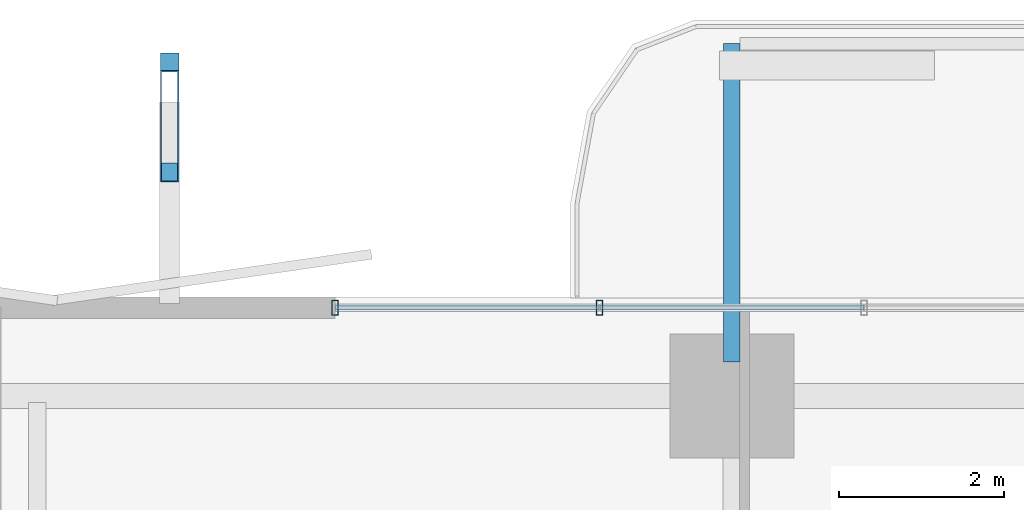
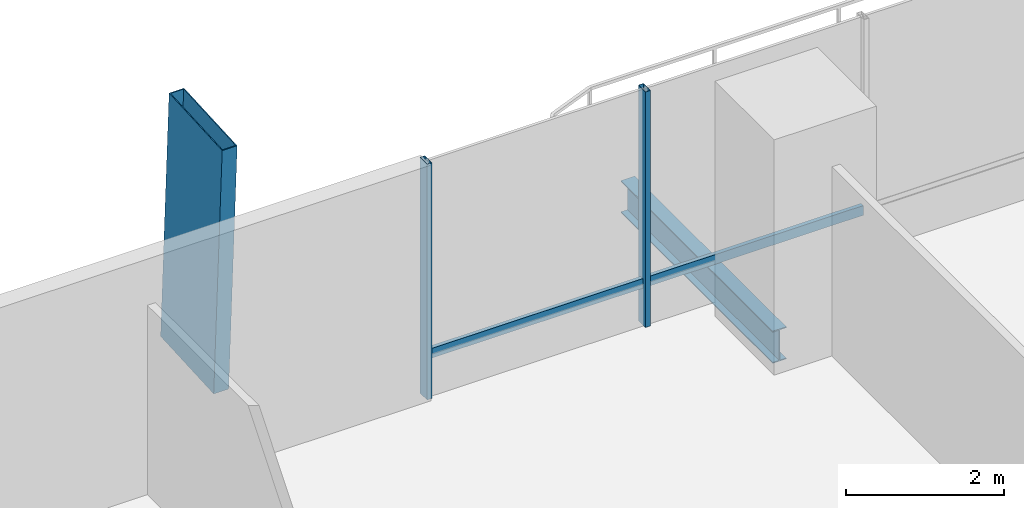
# One storey, part 11 of 23: 5 members, 1 beam, 1 element without a shape of its own.
"""IFC4 building model written with IfcOpenShell, lengths in metres."""

from ifc_helpers import new_model, si_unit, direction, frame, origin, origin_2d, place, context, subcontext, project, spatial, hollow_rectangle, i_section, extrude, material, layer, layer_set, material_profile, profile_set, type_object, element, aggregate, save


model = new_model("IFC4")

# Units and contexts
model_context = context("Model", 3, precision=1e-05, world=origin(), true_north=direction((0.0, 1.0)))
body_context = subcontext(model_context, "Body", "Model", "MODEL_VIEW")
ifc_project = project(units=[si_unit("LENGTHUNIT", "METRE"), si_unit("AREAUNIT", "SQUARE_METRE"), si_unit("VOLUMEUNIT", "CUBIC_METRE"), si_unit("PLANEANGLEUNIT", "RADIAN"), si_unit("MASSUNIT", "GRAM", prefix="KILO")], contexts=[model_context])

# Site, building, storey
site_placement = place(None, origin())
site = spatial("IfcSite", under=ifc_project, at=site_placement, CompositionType="ELEMENT")
building_placement = place(site_placement, origin())
building = spatial("IfcBuilding", under=site, at=building_placement, Name="Belovzor Exchange Tower", CompositionType="ELEMENT")
storey_placement = place(building_placement, frame((0.0, 0.0, 53.39990234375)))
storey = spatial("IfcBuildingStorey", under=building, at=storey_placement, Name="L12", CompositionType="ELEMENT", Elevation=53.39990234375)

# Member
ifc_material_1 = material(Name="Extruded Architectural Terracotta on Steel S355 Carrier", Category="masonry")
ifc_material_profile_1 = material_profile(ifc_material_1, hollow_rectangle(XDim=0.219970703125, YDim=1.35009765625, WallThickness=0.013916015625, at=origin_2d()))
ifc_profile_set_1 = profile_set([ifc_material_profile_1], Name="Extruded Architectural Terracotta on Steel S355 Carrier")
member_type_1 = type_object("IfcMemberType", Name="Base Arc Sweeping Terracotta Pylon Fin 1450", PredefinedType="USERDEFINED", material=ifc_profile_set_1)
member_1_placement = place(storey_placement, frame((22.0, 58.97900390625, -0.25), z_axis=(0.0, -0.055314244803, 0.998468995173), x_axis=(1.0, 0.0, 0.0)))
element("IfcMember", 1, at=member_1_placement, inside=storey, type_object=member_type_1, Name="FIN-TC145 Terracotta Facade Fin L12 N2", ObjectType="FIN", PredefinedType="USERDEFINED", context=body_context, shape_type="SweptSolid", body=[
    extrude(hollow_rectangle(XDim=0.219970703125, YDim=1.35009765625, WallThickness=0.013916015625, at=origin_2d()), origin(), (0.0, 0.0, 1.0), 3.906005859375),
])

# Beam
ifc_material_2 = material(Name="Steel S355", Category="steel")
ifc_material_profile_2 = material_profile(ifc_material_2, i_section(OverallWidth=0.199951171875, OverallDepth=0.5, WebThickness=0.01025390625, FlangeThickness=0.01611328125, at=origin_2d()))
ifc_profile_set_2 = profile_set([ifc_material_profile_2], Name="Steel S355")
beam_type = type_object("IfcBeamType", Name="Planted Balcony Cantilever Beam IPE 500", PredefinedType="BEAM", material=ifc_profile_set_2)
beam_placement = place(storey_placement, frame((28.800048828125, 55.9130859375, -0.5), z_axis=(0.0, 1.0, 0.0), x_axis=(-1.0, 0.0, 0.0)))
element("IfcBeam", 2, at=beam_placement, inside=storey, type_object=beam_type, Name="BC-500 Planted Balcony Cantilever Beam IPE 500", PredefinedType="BEAM", context=body_context, shape_type="SweptSolid", body=[
    extrude(i_section(OverallWidth=0.199951171875, OverallDepth=0.5, WebThickness=0.01025390625, FlangeThickness=0.01611328125, at=origin_2d()), origin(), (0.0, 0.0, 1.0), 3.849853515625),
])

# Curtain wall, members
ifc_material_3 = material(Name="Anodised Aluminium Framing", Category="aluminium")
ifc_layer = layer(ifc_material_3, 0.179931640625)
ifc_layer_set = layer_set([ifc_layer], Name="Anodised Aluminium Framing")
curtain_wall_type = type_object("IfcCurtainWallType", Name="Recessed Loggia Low-Iron Triple-Glazed Curtain Wall", PredefinedType="NOTDEFINED", material=ifc_layer_set)
curtain_wall_placement = place(storey_placement, origin())
curtain_wall = element("IfcCurtainWall", 3, at=curtain_wall_placement, inside=storey, type_object=curtain_wall_type, Name="CW3 Recessed Loggia Low-Iron Triple-Glazed Curtain Wall L12", PredefinedType="NOTDEFINED")
ifc_material_4 = material(Name="Steel S355", Category="steel")
ifc_material_profile_3 = material_profile(ifc_material_4, hollow_rectangle(XDim=0.074951171875, YDim=0.179931640625, WallThickness=0.0048828125, at=origin_2d()))
ifc_profile_set_3 = profile_set([ifc_material_profile_3], Name="Steel S355")
member_type_2 = type_object("IfcMemberType", Name="Thermally Broken Curtain Wall Mullion 180x75", PredefinedType="MULLION", material=ifc_profile_set_3)
member_2_placement = place(storey_placement, frame((24.0, 56.570068359375, 0.0), z_axis=(0.0, 0.0, 1.0), x_axis=(1.0, 0.0, 0.0)))
member_2 = element("IfcMember", 4, at=member_2_placement, type_object=member_type_2, Name="CW-M180 Curtain Wall Mullion 1", PredefinedType="MULLION", context=body_context, shape_type="SweptSolid", body=[
    extrude(hollow_rectangle(XDim=0.074951171875, YDim=0.179931640625, WallThickness=0.0048828125, at=origin_2d()), origin(), (0.0, 0.0, 1.0), 3.650146484375),
])
member_3_placement = place(storey_placement, frame((27.199951171875, 56.570068359375, 0.0), z_axis=(0.0, 0.0, 1.0), x_axis=(1.0, 0.0, 0.0)))
member_3 = element("IfcMember", 5, at=member_3_placement, type_object=member_type_2, Name="CW-M180 Curtain Wall Mullion 2", PredefinedType="MULLION", context=body_context, shape_type="SweptSolid", body=[
    extrude(hollow_rectangle(XDim=0.074951171875, YDim=0.179931640625, WallThickness=0.0048828125, at=origin_2d()), origin(), (0.0, 0.0, 1.0), 3.650146484375),
])
ifc_material_5 = material(Name="Steel S355", Category="steel")
ifc_material_profile_4 = material_profile(ifc_material_5, hollow_rectangle(XDim=0.06005859375, YDim=0.14990234375, WallThickness=0.00390625, at=origin_2d()))
ifc_profile_set_4 = profile_set([ifc_material_profile_4], Name="Steel S355")
member_type_3 = type_object("IfcMemberType", Name="Thermally Broken Curtain Wall Transom 150x60", PredefinedType="USERDEFINED", material=ifc_profile_set_4)
member_4_placement = place(storey_placement, frame((24.008056640625, 56.570068359375, 0.650146484375), z_axis=(1.0, 0.0, 0.0), x_axis=(0.0, 1.0, 0.0)))
member_4 = element("IfcMember", 6, at=member_4_placement, type_object=member_type_3, Name="CW-T150 Curtain Wall Transom 1", ObjectType="TRANSOM", PredefinedType="USERDEFINED", context=body_context, shape_type="SweptSolid", body=[
    extrude(hollow_rectangle(XDim=0.06005859375, YDim=0.14990234375, WallThickness=0.00390625, at=origin_2d()), origin(), (0.0, 0.0, 1.0), 3.183837890625),
])
member_5_placement = place(storey_placement, frame((27.2080078125, 56.570068359375, 0.650146484375), z_axis=(1.0, 0.0, 0.0), x_axis=(0.0, 1.0, 0.0)))
member_5 = element("IfcMember", 7, at=member_5_placement, type_object=member_type_3, Name="CW-T150 Curtain Wall Transom 2", ObjectType="TRANSOM", PredefinedType="USERDEFINED", context=body_context, shape_type="SweptSolid", body=[
    extrude(hollow_rectangle(XDim=0.06005859375, YDim=0.14990234375, WallThickness=0.00390625, at=origin_2d()), origin(), (0.0, 0.0, 1.0), 3.18408203125),
])
aggregate(curtain_wall, [member_2, member_3, member_4, member_5])

save(model, "model.ifc")
